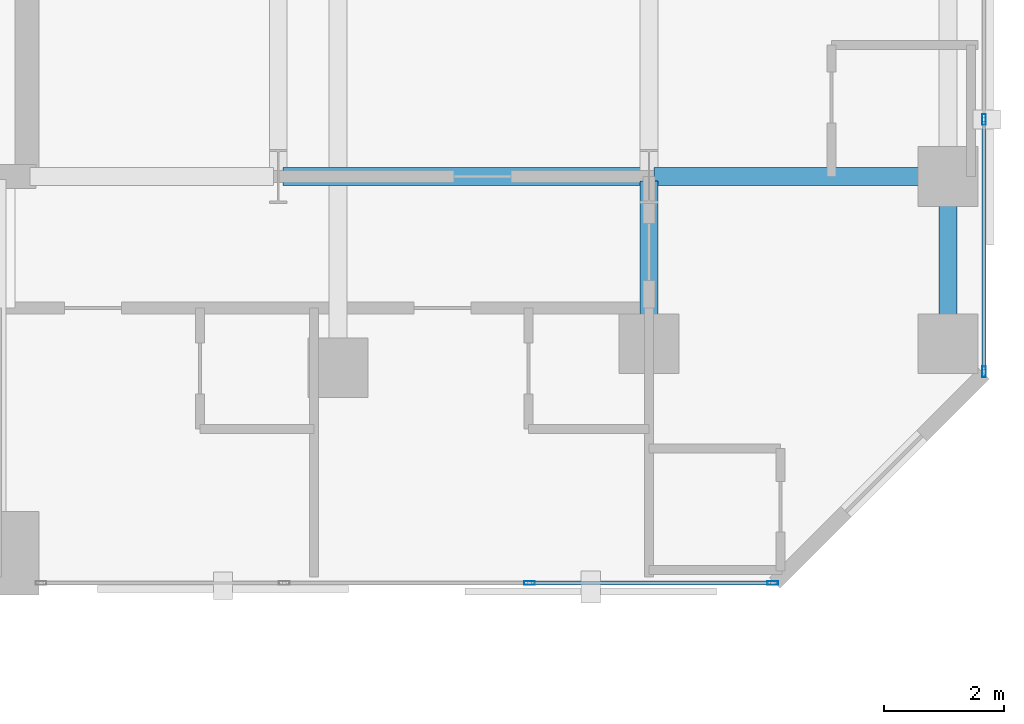
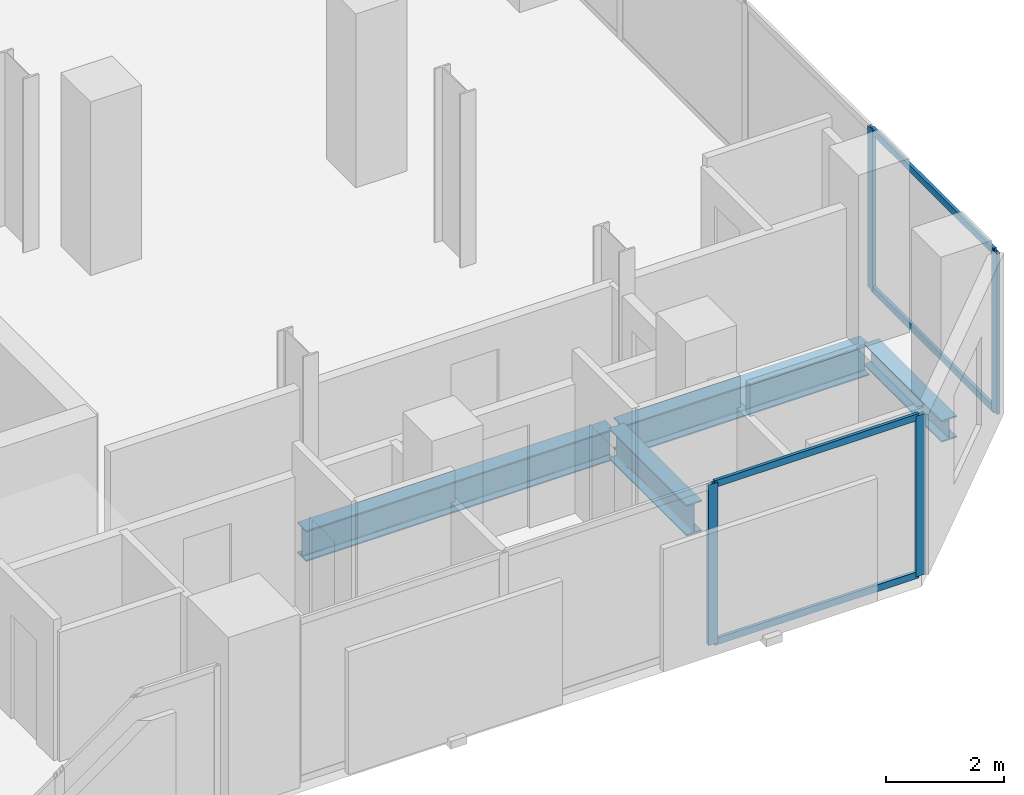
# One storey, part 15 of 32: 8 members, 4 beams, 2 elements without a shape of their own.
"""IFC4 building model written with IfcOpenShell, lengths in metres."""

import ifcopenshell
import ifcopenshell.guid

model = None  # the IFC model being written
_history = None  # IfcOwnerHistory: only IFC2X3 demands one
_inside = {}  # id of a spatial element -> (the spatial element, [elements in it])
_under = {}  # id of a project, library or spatial element -> (it, [spatial elements below it])
_declared = {}  # id of a project -> (the project, [libraries it declares])
_typed = {}  # id of a type object -> (the type object, [elements of that type])
_made_of = {}  # id of a material, layer set ... -> (it, [elements and type objects made of it])


def new_model(schema):
    """Start an empty IFC model of exactly this schema.

    Asked for "IFC4X3", IfcOpenShell would pick the latest addendum, in which some entities
    have other attributes; the version numbers below select the first issue.
    IFC2X3 requires an IfcOwnerHistory on every rooted entity: one is made here for all.
    """
    global model, _history
    if schema == "IFC4X3":
        model = ifcopenshell.file(schema_version=(4, 3, 0, 0))
    else:
        model = ifcopenshell.file(schema=schema)
    _inside.clear()
    _under.clear()
    _declared.clear()
    _typed.clear()
    _made_of.clear()
    _history = None
    if model.schema == "IFC2X3":
        org = make("IfcOrganization", Name="unknown")
        user = make(
            "IfcPersonAndOrganization",
            ThePerson=make("IfcPerson", FamilyName="unknown"),
            TheOrganization=org,
        )
        app = make(
            "IfcApplication",
            ApplicationDeveloper=org,
            Version="unknown",
            ApplicationFullName="unknown",
            ApplicationIdentifier="unknown",
        )
        _history = make(
            "IfcOwnerHistory",
            OwningUser=user,
            OwningApplication=app,
            ChangeAction="ADDED",
            CreationDate=0,
        )
    return model


def make(cls, **values):
    """One entity of the class cls with the attributes given. An attribute that is None is left unset."""
    return model.create_entity(
        cls, **{name: value for name, value in values.items() if value is not None}
    )


def rooted(cls, **values):
    """An entity with a GlobalId (a new one), such as an element, a storey or a relation."""
    return make(cls, GlobalId=ifcopenshell.guid.new(), OwnerHistory=_history, **values)


def si_unit(unit_type, name, prefix=None):
    """IfcSIUnit, for example si_unit("LENGTHUNIT", "METRE", prefix="MILLI")."""
    return make("IfcSIUnit", UnitType=unit_type, Prefix=prefix, Name=name)


def assignment(units):
    """IfcUnitAssignment: the units of a project."""
    return None if units is None else make("IfcUnitAssignment", Units=units)


def point(xyz):
    """IfcCartesianPoint."""
    return None if xyz is None else make("IfcCartesianPoint", Coordinates=xyz)


def direction(xyz):
    """IfcDirection."""
    return None if xyz is None else make("IfcDirection", DirectionRatios=xyz)


def frame(location, z_axis=None, x_axis=None):
    """IfcAxis2Placement3D, a coordinate frame: its origin and axes. An axis left out is left unset."""
    return make(
        "IfcAxis2Placement3D",
        Location=point(location),
        Axis=direction(z_axis),
        RefDirection=direction(x_axis),
    )


def frame_2d(location, x_axis=None):
    """IfcAxis2Placement2D, a coordinate frame in the plane: its origin and x axis."""
    return make(
        "IfcAxis2Placement2D", Location=point(location), RefDirection=direction(x_axis)
    )


def origin():
    """The frame at (0, 0, 0) with its axes left unset."""
    return frame((0.0, 0.0, 0.0))


def origin_2d():
    """The frame at (0, 0) in the plane with its x axis left unset."""
    return frame_2d((0.0, 0.0))


def place(relative_to, where):
    """IfcLocalPlacement: puts the frame where relative to a parent placement (None: the world)."""
    return make(
        "IfcLocalPlacement", PlacementRelTo=relative_to, RelativePlacement=where
    )


def context(
    kind, dimensions, precision=None, world=None, true_north=None, identifier=None
):
    """IfcGeometricRepresentationContext, for example the 3D "Model" context."""
    return make(
        "IfcGeometricRepresentationContext",
        ContextIdentifier=identifier,
        ContextType=kind,
        CoordinateSpaceDimension=dimensions,
        Precision=precision,
        WorldCoordinateSystem=world,
        TrueNorth=true_north,
    )


def subcontext(parent, identifier, kind, view, scale=None):
    """IfcGeometricRepresentationSubContext, for example "Body" below "Model"."""
    return make(
        "IfcGeometricRepresentationSubContext",
        ContextIdentifier=identifier,
        ContextType=kind,
        ParentContext=parent,
        TargetScale=scale,
        TargetView=view,
    )


def project(units=None, contexts=None):
    """IfcProject with its units and contexts."""
    return rooted(
        "IfcProject",
        Name="project",
        RepresentationContexts=contexts,
        UnitsInContext=assignment(units),
    )


def spatial(cls, under=None, at=None, **own):
    """A site, building, storey or space (cls), placed at a placement, below another one or the project."""
    s = rooted(cls, ObjectPlacement=at, **own)
    if under is not None:
        _under.setdefault(under.id(), (under, []))[1].append(s)
    return s


def profile(cls, at=None, kind="AREA", **sizes):
    """A parametric profile (cls). Its sizes go by their IFC names, for example OverallWidth=200.0."""
    return make(cls, ProfileType=kind, Position=at, **sizes)


def hollow_rectangle(**sizes):
    """IfcRectangleHollowProfileDef."""
    return profile("IfcRectangleHollowProfileDef", **sizes)


def i_section(**sizes):
    """IfcIShapeProfileDef."""
    return profile("IfcIShapeProfileDef", **sizes)


def extrude(swept, where, along, depth):
    """IfcExtrudedAreaSolid: the profile swept, set in the frame where, extruded along a direction by depth."""
    return make(
        "IfcExtrudedAreaSolid",
        SweptArea=swept,
        Position=where,
        ExtrudedDirection=direction(along),
        Depth=depth,
    )


def shape(context_of_items, identifier, shape_type, items):
    """IfcShapeRepresentation: the items that make up one representation, for example the "Body"."""
    return make(
        "IfcShapeRepresentation",
        ContextOfItems=context_of_items,
        RepresentationIdentifier=identifier,
        RepresentationType=shape_type,
        Items=items,
    )


def material(Name=None, Category=None):
    """IfcMaterial."""
    return make("IfcMaterial", Name=Name, Category=Category)


def layer(
    of_material, thickness, ventilated=None, Name=None, Category=None, Priority=None
):
    """IfcMaterialLayer: one layer of a wall or slab, of a material (None: an air gap)."""
    return make(
        "IfcMaterialLayer",
        Material=of_material,
        LayerThickness=thickness,
        IsVentilated=ventilated,
        Name=Name,
        Category=Category,
        Priority=Priority,
    )


def layer_set(layers, Name=None):
    """IfcMaterialLayerSet."""
    return make("IfcMaterialLayerSet", MaterialLayers=layers, LayerSetName=Name)


def material_profile(
    of_material, cross_section, Name=None, Category=None, Priority=None
):
    """IfcMaterialProfile: a cross section and its material."""
    return make(
        "IfcMaterialProfile",
        Name=Name,
        Material=of_material,
        Profile=cross_section,
        Priority=Priority,
        Category=Category,
    )


def profile_set(profiles, Name=None, composite=None):
    """IfcMaterialProfileSet."""
    return make(
        "IfcMaterialProfileSet",
        Name=Name,
        MaterialProfiles=profiles,
        CompositeProfile=composite,
    )


def made_of(thing, what):
    """Note that an element or type object is made of a material, layer set ...; save() writes the relation."""
    if what is not None:
        _made_of.setdefault(what.id(), (what, []))[1].append(thing)
    return thing


def type_object(cls, material=None, **own):
    """A type object (cls), such as IfcWallType, which elements share."""
    return made_of(rooted(cls, **own), material)


def element(
    cls,
    number,
    at=None,
    inside=None,
    cuts=None,
    type_object=None,
    material=None,
    context=None,
    identifier="Body",
    shape_type=None,
    held_by="IfcProductDefinitionShape",
    body=None,
    shapes=None,
    **own,
):
    """One element of the class cls, such as IfcWall. Its Tag is "e" and its number.

    at: its placement. inside: the storey or other place that contains it. cuts: it is an
    opening in that element (IfcRelVoidsElement). A single representation is given by context,
    identifier, shape_type and body (its items); several are given by shapes. held_by: the class
    of the entity that holds the representations. save() writes the other relations.
    """
    e = rooted(cls, Tag="e%d" % number, ObjectPlacement=at, **own)
    if body is not None:
        shapes = [shape(context, identifier, shape_type, body)]
    if shapes is not None:
        e.Representation = make(held_by, Representations=shapes)
    if inside is not None:
        _inside.setdefault(inside.id(), (inside, []))[1].append(e)
    if cuts is not None:
        rooted(
            "IfcRelVoidsElement", RelatingBuildingElement=cuts, RelatedOpeningElement=e
        )
    if type_object is not None:
        _typed.setdefault(type_object.id(), (type_object, []))[1].append(e)
    return made_of(e, material)


def aggregate(whole, parts):
    """IfcRelAggregates: a whole, such as a stair, and the parts it consists of."""
    return rooted("IfcRelAggregates", RelatingObject=whole, RelatedObjects=parts)


def save(model, path):
    """Write the relations noted so far, then the file.

    IfcRelAggregates (storeys below a building ...), IfcRelContainedInSpatialStructure (elements
    in a storey), IfcRelDefinesByType, IfcRelAssociatesMaterial and IfcRelDeclares: one each for
    every whole, place, type object, material and project.
    """
    for whole, parts in _under.values():
        aggregate(whole, parts)
    for where, things in _inside.values():
        rooted(
            "IfcRelContainedInSpatialStructure",
            RelatedElements=things,
            RelatingStructure=where,
        )
    for kind, things in _typed.values():
        rooted("IfcRelDefinesByType", RelatedObjects=things, RelatingType=kind)
    for what, things in _made_of.values():
        rooted("IfcRelAssociatesMaterial", RelatedObjects=things, RelatingMaterial=what)
    for by, libraries in _declared.values():
        rooted("IfcRelDeclares", RelatingContext=by, RelatedDefinitions=libraries)
    model.write(path)


model = new_model("IFC4")

# Units and contexts
model_context = context("Model", 3, precision=1e-05, world=origin(), true_north=direction((0.0, 1.0)))
body_context = subcontext(model_context, "Body", "Model", "MODEL_VIEW")
ifc_project = project(units=[si_unit("LENGTHUNIT", "METRE"), si_unit("AREAUNIT", "SQUARE_METRE"), si_unit("VOLUMEUNIT", "CUBIC_METRE"), si_unit("PLANEANGLEUNIT", "RADIAN"), si_unit("MASSUNIT", "GRAM", prefix="KILO")], contexts=[model_context])

# Site, building, storey
site_placement = place(None, origin())
site = spatial("IfcSite", under=ifc_project, at=site_placement, CompositionType="ELEMENT")
building_placement = place(site_placement, origin())
building = spatial("IfcBuilding", under=site, at=building_placement, Name="Catumbela Crestline Tower", CompositionType="ELEMENT")
storey_placement = place(building_placement, frame((0.0, 0.0, 33.0)))
storey = spatial("IfcBuildingStorey", under=building, at=storey_placement, Name="L07", CompositionType="ELEMENT", Elevation=33.0)

# Beams
ifc_material_1 = material(Name="Structural steel S355J2", Category="steel")
ifc_material_profile_1 = material_profile(ifc_material_1, i_section(OverallWidth=0.3, OverallDepth=0.64, WebThickness=0.0135, FlangeThickness=0.026, FilletRadius=0.027, at=origin_2d()), Name="HEA 650")
ifc_profile_set_1 = profile_set([ifc_material_profile_1], Name="Structural steel S355J2")
beam_type_1 = type_object("IfcBeamType", Name="BG-HEA650", PredefinedType="BEAM", material=ifc_profile_set_1)
beam_1_placement = place(storey_placement, frame((44.28, 30.8, -0.58), z_axis=(1.0, 0.0, 0.0), x_axis=(0.0, 1.0, 0.0)))
element("IfcBeam", 1, at=beam_1_placement, inside=storey, type_object=beam_type_1, Name="L07 Beam BM-L07-M11", PredefinedType="BEAM", context=body_context, shape_type="SweptSolid", body=[
    extrude(i_section(OverallWidth=0.3, OverallDepth=0.64, WebThickness=0.0135, FlangeThickness=0.026, FilletRadius=0.027, at=origin_2d()), origin(), (0.0, 0.0, 1.0), 6.04),
])
beam_2_placement = place(storey_placement, frame((50.48, 30.8, -0.58), z_axis=(1.0, 0.0, 0.0), x_axis=(0.0, 1.0, 0.0)))
element("IfcBeam", 2, at=beam_2_placement, inside=storey, type_object=beam_type_1, Name="L07 Beam BM-L07-M12", PredefinedType="BEAM", context=body_context, shape_type="SweptSolid", body=[
    extrude(i_section(OverallWidth=0.3, OverallDepth=0.64, WebThickness=0.0135, FlangeThickness=0.026, FilletRadius=0.027, at=origin_2d()), origin(), (0.0, 0.0, 1.0), 4.84),
])
beam_3_placement = place(storey_placement, frame((50.4, 28.08, -0.58), z_axis=(0.0, 1.0, 0.0), x_axis=(-1.0, 0.0, 0.0)))
element("IfcBeam", 3, at=beam_3_placement, inside=storey, type_object=beam_type_1, Name="L07 Beam BM-L07-SN37", PredefinedType="BEAM", context=body_context, shape_type="SweptSolid", body=[
    extrude(i_section(OverallWidth=0.3, OverallDepth=0.64, WebThickness=0.0135, FlangeThickness=0.026, FilletRadius=0.027, at=origin_2d()), origin(), (0.0, 0.0, 1.0), 2.64),
])

# Curtain wall, members
ifc_material_2 = material(Name="Aluminium alloy AW-6060-T66", Category="aluminium")
ifc_layer = layer(ifc_material_2, 0.18, Name="Aluminium alloy AW-6060-T66")
ifc_layer_set = layer_set([ifc_layer], Name="Aluminium alloy AW-6060-T66")
curtain_wall_type = type_object("IfcCurtainWallType", Name="CWU-Z1", PredefinedType="USERDEFINED", material=ifc_layer_set)
curtain_wall_1_placement = place(storey_placement, origin())
curtain_wall_1 = element("IfcCurtainWall", 4, at=curtain_wall_1_placement, inside=storey, type_object=curtain_wall_type, Name="L07 Unitised Curtain Wall CW-L07-E3S3", ObjectType="UNITISED", PredefinedType="USERDEFINED")
ifc_material_profile_2 = material_profile(ifc_material_2, hollow_rectangle(XDim=0.065, YDim=0.18, WallThickness=0.004, at=origin_2d()), Name="ALU 180x65x4")
ifc_profile_set_2 = profile_set([ifc_material_profile_2], Name="Aluminium alloy AW-6060-T66")
member_type_1 = type_object("IfcMemberType", Name="MUL-180X65", PredefinedType="MULLION", material=ifc_profile_set_2)
member_1_placement = place(storey_placement, frame((48.4, 24.0, 0.0), z_axis=(0.0, 0.0, 1.0), x_axis=(0.0, 1.0, 0.0)))
member_1 = element("IfcMember", 5, at=member_1_placement, type_object=member_type_1, Name="CWU-Z1 mullion 3", PredefinedType="MULLION", context=body_context, shape_type="SweptSolid", body=[
    extrude(hollow_rectangle(XDim=0.065, YDim=0.18, WallThickness=0.004, at=origin_2d()), origin(), (0.0, 0.0, 1.0), 3.33),
])
member_2_placement = place(storey_placement, frame((52.4675, 24.0, 0.0), z_axis=(0.0, 0.0, 1.0), x_axis=(0.0, 1.0, 0.0)))
member_2 = element("IfcMember", 6, at=member_2_placement, type_object=member_type_1, Name="CWU-Z1 mullion 4", PredefinedType="MULLION", context=body_context, shape_type="SweptSolid", body=[
    extrude(hollow_rectangle(XDim=0.065, YDim=0.18, WallThickness=0.004, at=origin_2d()), origin(), (0.0, 0.0, 1.0), 3.33),
])

curtain_wall_2_placement = place(storey_placement, origin())
curtain_wall_2 = element("IfcCurtainWall", 7, at=curtain_wall_2_placement, inside=storey, type_object=curtain_wall_type, Name="L07 Unitised Curtain Wall CW-L07-E5S1", ObjectType="UNITISED", PredefinedType="USERDEFINED")
member_3_placement = place(storey_placement, frame((56.0, 27.5325, 0.0), z_axis=(0.0, 0.0, 1.0), x_axis=(-1.0, 0.0, 0.0)))
member_3 = element("IfcMember", 8, at=member_3_placement, type_object=member_type_1, Name="CWU-Z1 mullion 1", PredefinedType="MULLION", context=body_context, shape_type="SweptSolid", body=[
    extrude(hollow_rectangle(XDim=0.065, YDim=0.18, WallThickness=0.004, at=origin_2d()), origin(), (0.0, 0.0, 1.0), 3.33),
])
member_4_placement = place(storey_placement, frame((56.0, 31.75, 0.0), z_axis=(0.0, 0.0, 1.0), x_axis=(-1.0, 0.0, 0.0)))
member_4 = element("IfcMember", 9, at=member_4_placement, type_object=member_type_1, Name="CWU-Z1 mullion 2", PredefinedType="MULLION", context=body_context, shape_type="SweptSolid", body=[
    extrude(hollow_rectangle(XDim=0.065, YDim=0.18, WallThickness=0.004, at=origin_2d()), origin(), (0.0, 0.0, 1.0), 3.33),
])

# Beam
ifc_material_profile_3 = material_profile(ifc_material_1, i_section(OverallWidth=0.3, OverallDepth=0.45, WebThickness=0.014, FlangeThickness=0.026, FilletRadius=0.027, at=origin_2d()), Name="HEB 450")
ifc_profile_set_3 = profile_set([ifc_material_profile_3], Name="Structural steel S355J2")
beam_type_2 = type_object("IfcBeamType", Name="BS-HEB450", PredefinedType="SPANDREL", material=ifc_profile_set_3)
beam_4_placement = place(storey_placement, frame((55.4, 28.08, -0.485), z_axis=(0.0, 1.0, 0.0), x_axis=(-1.0, 0.0, 0.0)))
element("IfcBeam", 10, at=beam_4_placement, inside=storey, type_object=beam_type_2, Name="L07 Spandrel SP-L07-SN40", PredefinedType="SPANDREL", context=body_context, shape_type="SweptSolid", body=[
    extrude(i_section(OverallWidth=0.3, OverallDepth=0.45, WebThickness=0.014, FlangeThickness=0.026, FilletRadius=0.027, at=origin_2d()), origin(), (0.0, 0.0, 1.0), 2.64),
])

# Member
ifc_material_profile_4 = material_profile(ifc_material_2, hollow_rectangle(XDim=0.06, YDim=0.14, WallThickness=0.004, at=origin_2d()), Name="ALU 140x60x4")
ifc_profile_set_4 = profile_set([ifc_material_profile_4], Name="Aluminium alloy AW-6060-T66")
member_type_2 = type_object("IfcMemberType", Name="TRN-140X60", PredefinedType="USERDEFINED", material=ifc_profile_set_4)
member_5_placement = place(storey_placement, frame((48.4325, 24.0, 0.03), z_axis=(1.0, 0.0, 0.0), x_axis=(0.0, 1.0, 0.0)))
member_5 = element("IfcMember", 11, at=member_5_placement, type_object=member_type_2, Name="CWU-Z1 transom 3.1", ObjectType="TRANSOM", PredefinedType="USERDEFINED", context=body_context, shape_type="SweptSolid", body=[
    extrude(hollow_rectangle(XDim=0.06, YDim=0.14, WallThickness=0.004, at=origin_2d()), origin(), (0.0, 0.0, 1.0), 4.0025),
])

member_6_placement = place(storey_placement, frame((48.4325, 24.0, 3.3), z_axis=(1.0, 0.0, 0.0), x_axis=(0.0, 1.0, 0.0)))
member_6 = element("IfcMember", 12, at=member_6_placement, type_object=member_type_2, Name="CWU-Z1 transom 3.2", ObjectType="TRANSOM", PredefinedType="USERDEFINED", context=body_context, shape_type="SweptSolid", body=[
    extrude(hollow_rectangle(XDim=0.06, YDim=0.14, WallThickness=0.004, at=origin_2d()), origin(), (0.0, 0.0, 1.0), 4.0025),
])

aggregate(curtain_wall_1, [member_1, member_2, member_5, member_6])

member_7_placement = place(storey_placement, frame((56.0, 27.565, 0.03), z_axis=(0.0, 1.0, 0.0), x_axis=(-1.0, 0.0, 0.0)))
member_7 = element("IfcMember", 13, at=member_7_placement, type_object=member_type_2, Name="CWU-Z1 transom 1.1", ObjectType="TRANSOM", PredefinedType="USERDEFINED", context=body_context, shape_type="SweptSolid", body=[
    extrude(hollow_rectangle(XDim=0.06, YDim=0.14, WallThickness=0.004, at=origin_2d()), origin(), (0.0, 0.0, 1.0), 4.1525),
])

member_8_placement = place(storey_placement, frame((56.0, 27.565, 3.3), z_axis=(0.0, 1.0, 0.0), x_axis=(-1.0, 0.0, 0.0)))
member_8 = element("IfcMember", 14, at=member_8_placement, type_object=member_type_2, Name="CWU-Z1 transom 1.2", ObjectType="TRANSOM", PredefinedType="USERDEFINED", context=body_context, shape_type="SweptSolid", body=[
    extrude(hollow_rectangle(XDim=0.06, YDim=0.14, WallThickness=0.004, at=origin_2d()), origin(), (0.0, 0.0, 1.0), 4.1525),
])

aggregate(curtain_wall_2, [member_3, member_4, member_7, member_8])

save(model, "model.ifc")
